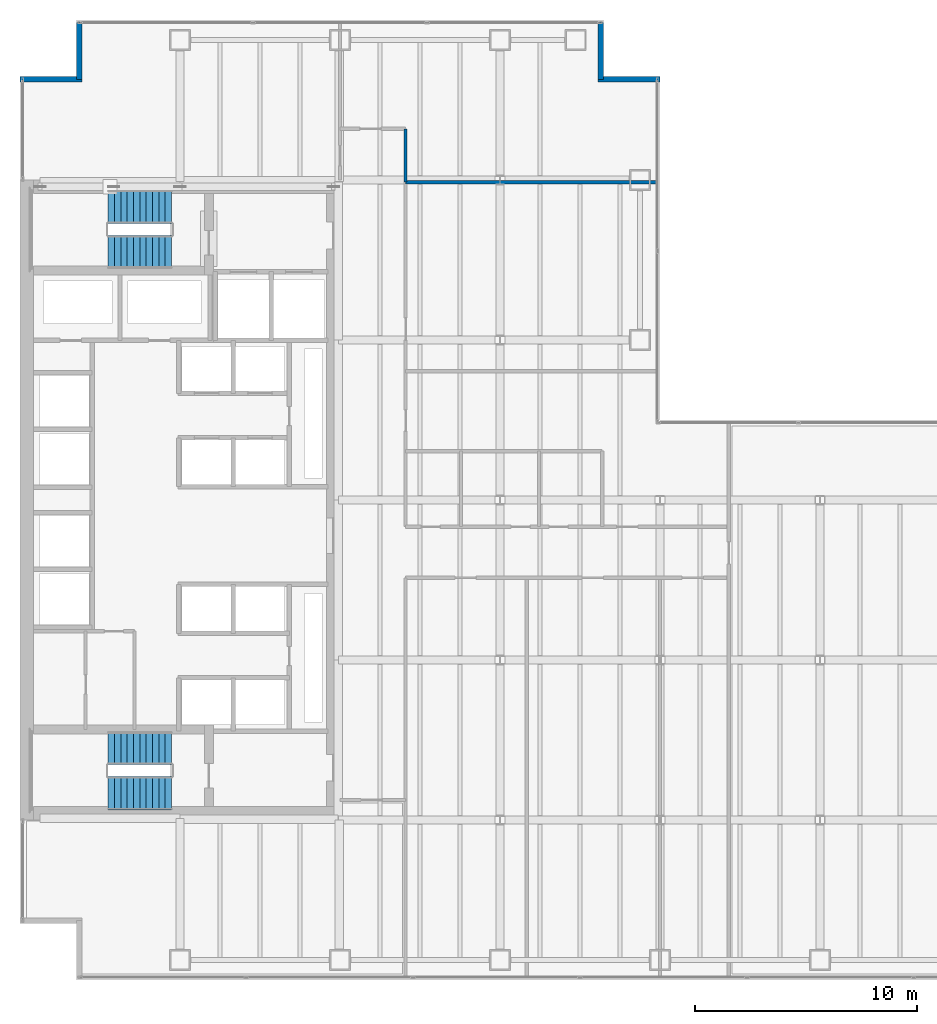
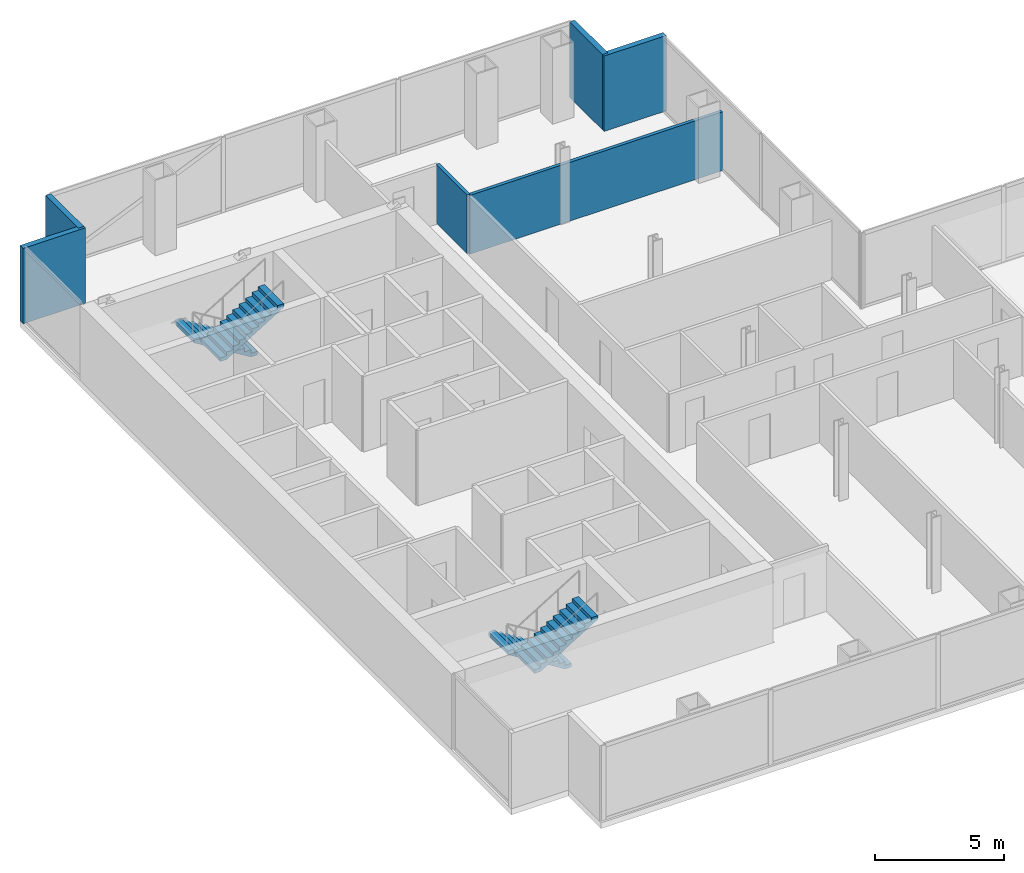
# One storey, part 22 of 24: 6 walls, 4 stair flights, 2 elements without a shape of their own.
"""IFC4 building model written with IfcOpenShell, lengths in metres."""

from ifc_helpers import new_model, si_unit, direction, frame, frame_2d, origin, place, context, subcontext, project, spatial, polyline, rectangle, outline, extrude, material, layer, layer_set, type_object, element, aggregate, save


model = new_model("IFC4")

# Units and contexts
model_context = context("Model", 3, precision=1e-05, world=origin(), true_north=direction((0.0, 1.0)))
body_context = subcontext(model_context, "Body", "Model", "MODEL_VIEW")
ifc_project = project(units=[si_unit("LENGTHUNIT", "METRE"), si_unit("AREAUNIT", "SQUARE_METRE"), si_unit("VOLUMEUNIT", "CUBIC_METRE"), si_unit("PLANEANGLEUNIT", "RADIAN"), si_unit("MASSUNIT", "GRAM", prefix="KILO")], contexts=[model_context])

# Site, building, storey
site_placement = place(None, origin())
site = spatial("IfcSite", under=ifc_project, at=site_placement, CompositionType="ELEMENT")
building_placement = place(site_placement, origin())
building = spatial("IfcBuilding", under=site, at=building_placement, Name="Cobrela Telecom Tower", CompositionType="ELEMENT")
storey_placement = place(building_placement, frame((0.0, 0.0, 77.35009765625)))
storey = spatial("IfcBuildingStorey", under=building, at=storey_placement, Name="L19", CompositionType="ELEMENT", Elevation=77.35009765625)

# Walls
ifc_material_1 = material(Name="Concrete C40/50", Category="concrete")
ifc_layer_1 = layer(ifc_material_1, 0.239990234375)
ifc_layer_set_1 = layer_set([ifc_layer_1], Name="Concrete C40/50")
wall_type_1 = type_object("IfcWallType", Name="WALL-EXT-300", PredefinedType="STANDARD", material=ifc_layer_set_1)
wall_1_placement = place(storey_placement, frame((0.0, 40.530029296875, 0.0), z_axis=(0.0, 0.0, 1.0), x_axis=(1.0, 0.0, 0.0)))
element("IfcWall", 1, at=wall_1_placement, inside=storey, type_object=wall_type_1, Name="L19 Insulated Facade Wall 05", PredefinedType="STANDARD", context=body_context, shape_type="SweptSolid", body=[
    extrude(rectangle(XDim=2.7900390625, YDim=0.239990234375, at=frame_2d((1.39501953125, 0.0))), origin(), (0.0, 0.0, 1.0), 3.56982421875),
])
for number, where, z_axis, x_axis, name in (
    (2, (2.669921875, 40.530029296875, 0.0), (0.0, 0.0, 1.0), (0.0, 1.0, 0.0), "L19 Insulated Facade Wall 06"),
    (3, (26.1298828125, 43.080078125, 0.0), (0.0, 0.0, 1.0), (0.0, -1.0, 0.0), "L19 Insulated Facade Wall 08"),
):
    element("IfcWall", number, at=place(storey_placement, frame(where, z_axis=z_axis, x_axis=x_axis)), inside=storey, type_object=wall_type_1, Name=name, PredefinedType="STANDARD", context=body_context, shape_type="SweptSolid", body=[
        extrude(rectangle(XDim=2.550048828125, YDim=0.239990234375, at=frame_2d((1.27490234375, 0.0))), origin(), (0.0, 0.0, 1.0), 3.56982421875),
    ])
wall_2_placement = place(storey_placement, frame((26.010009765625, 40.530029296875, 0.0), z_axis=(0.0, 0.0, 1.0), x_axis=(1.0, 0.0, 0.0)))
element("IfcWall", 4, at=wall_2_placement, inside=storey, type_object=wall_type_1, Name="L19 Insulated Facade Wall 09", PredefinedType="STANDARD", context=body_context, shape_type="SweptSolid", body=[
    extrude(rectangle(XDim=2.7900390625, YDim=0.239990234375, at=frame_2d((1.39501953125, 0.0))), origin(), (0.0, 0.0, 1.0), 3.56982421875),
])
ifc_material_2 = material(Name="Fire-Rated Gypsum Plasterboard")
ifc_layer_2 = layer(ifc_material_2, 0.14990234375)
ifc_layer_set_2 = layer_set([ifc_layer_2], Name="Fire-Rated Gypsum Plasterboard")
wall_type_2 = type_object("IfcWallType", Name="WALL-PART-150", PredefinedType="PARTITIONING", material=ifc_layer_set_2)
wall_3_placement = place(storey_placement, frame((17.35009765625, 35.89990234375, 0.0), z_axis=(0.0, 0.0, 1.0), x_axis=(0.0, 1.0, 0.0)))
element("IfcWall", 5, at=wall_3_placement, inside=storey, type_object=wall_type_2, Name="L19 Interior Partition W-CN-E", PredefinedType="PARTITIONING", context=body_context, shape_type="SweptSolid", body=[
    extrude(rectangle(XDim=2.400146484375, YDim=0.14990234375, at=frame_2d((1.2001953125, 0.0))), origin(), (0.0, 0.0, 1.0), 2.782958984375),
])
wall_4_placement = place(storey_placement, frame((17.35009765625, 35.89990234375, 0.0), z_axis=(0.0, 0.0, 1.0), x_axis=(1.0, 0.0, 0.0)))
element("IfcWall", 6, at=wall_4_placement, inside=storey, type_object=wall_type_2, Name="L19 Interior Partition W-NW2-S", PredefinedType="PARTITIONING", context=body_context, shape_type="SweptSolid", body=[
    extrude(rectangle(XDim=11.329833984375, YDim=0.14990234375, at=frame_2d((5.6650390625, 0.0))), origin(), (0.0, 0.0, 1.0), 2.782958984375),
])

# Stair, stair flights
stair_type = type_object("IfcStairType", Name="STAIR-CORE", PredefinedType="HALF_TURN_STAIR", material=ifc_material_1)
stair_1_placement = place(storey_placement, origin())
stair_1 = element("IfcStair", 7, at=stair_1_placement, inside=storey, type_object=stair_type, Name="L19 Smokeproof Exit Stair ST1", PredefinedType="HALF_TURN_STAIR")
stair_flight_type = type_object("IfcStairFlightType", Name="FLIGHT-CORE", PredefinedType="STRAIGHT", material=ifc_material_1)
stair_flight_1_placement = place(storey_placement, frame((6.820068359375, 34.800048828125, 0.0), z_axis=(0.0, 0.0, 1.0), x_axis=(-1.0, 0.0, 0.0)))
stair_flight_1 = element("IfcStairFlight", 8, at=stair_flight_1_placement, type_object=stair_flight_type, Name="ST1 flight 1", NumberOfRisers=11, NumberOfTreads=10, PredefinedType="STRAIGHT", RiserHeight=0.175, TreadLength=0.285, context=body_context, shape_type="SweptSolid", body=[
    extrude(outline(polyline([(0.0, 0.0), (0.0, 0.175048828125), (0.284912109375, 0.175048828125), (0.284912109375, 0.35009765625), (0.570068359375, 0.35009765625), (0.570068359375, 0.52490234375), (0.85498046875, 0.52490234375), (0.85498046875, 0.699951171875), (1.139892578125, 0.699951171875), (1.139892578125, 0.875), (1.425048828125, 0.875), (1.425048828125, 1.050048828125), (1.7099609375, 1.050048828125), (1.7099609375, 1.22509765625), (1.9951171875, 1.22509765625), (1.9951171875, 1.39990234375), (2.280029296875, 1.39990234375), (2.280029296875, 1.574951171875), (2.56494140625, 1.574951171875), (2.56494140625, 1.75), (2.85009765625, 1.75), (2.85009765625, 1.925048828125), (2.85009765625, 1.573974609375), (0.286376953125, 0.0), (0.0, 0.0)])), frame((0.0, 0.75, 0.0), z_axis=(0.0, -1.0, 0.0), x_axis=(1.0, 0.0, 0.0)), (0.0, 0.0, 1.0), 1.5),
])
stair_flight_2_placement = place(storey_placement, frame((3.969970703125, 32.75, 1.9248046875), z_axis=(0.0, 0.0, 1.0), x_axis=(1.0, 0.0, 0.0)))
stair_flight_2 = element("IfcStairFlight", 9, at=stair_flight_2_placement, type_object=stair_flight_type, Name="ST1 flight 2", NumberOfRisers=11, NumberOfTreads=10, PredefinedType="STRAIGHT", RiserHeight=0.175, TreadLength=0.285, context=body_context, shape_type="SweptSolid", body=[
    extrude(outline(polyline([(0.0, 0.0), (0.0, 0.175048828125), (0.284912109375, 0.175048828125), (0.284912109375, 0.35009765625), (0.570068359375, 0.35009765625), (0.570068359375, 0.52490234375), (0.85498046875, 0.52490234375), (0.85498046875, 0.699951171875), (1.139892578125, 0.699951171875), (1.139892578125, 0.875), (1.425048828125, 0.875), (1.425048828125, 1.050048828125), (1.7099609375, 1.050048828125), (1.7099609375, 1.22509765625), (1.9951171875, 1.22509765625), (1.9951171875, 1.39990234375), (2.280029296875, 1.39990234375), (2.280029296875, 1.574951171875), (2.56494140625, 1.574951171875), (2.56494140625, 1.75), (2.85009765625, 1.75), (2.85009765625, 1.925048828125), (2.85009765625, 1.573974609375), (0.286376953125, 0.0), (0.0, 0.0)])), frame((0.0, 0.75, 0.0), z_axis=(0.0, -1.0, 0.0), x_axis=(1.0, 0.0, 0.0)), (0.0, 0.0, 1.0), 1.5),
])
aggregate(stair_1, [stair_flight_1, stair_flight_2])

stair_2_placement = place(storey_placement, origin())
stair_2 = element("IfcStair", 10, at=stair_2_placement, inside=storey, type_object=stair_type, Name="L19 Smokeproof Exit Stair ST2", PredefinedType="HALF_TURN_STAIR")
stair_flight_3_placement = place(storey_placement, frame((6.820068359375, 10.449951171875, 0.0), z_axis=(0.0, 0.0, 1.0), x_axis=(-1.0, 0.0, 0.0)))
stair_flight_3 = element("IfcStairFlight", 11, at=stair_flight_3_placement, type_object=stair_flight_type, Name="ST2 flight 1", NumberOfRisers=11, NumberOfTreads=10, PredefinedType="STRAIGHT", RiserHeight=0.175, TreadLength=0.285, context=body_context, shape_type="SweptSolid", body=[
    extrude(outline(polyline([(0.0, 0.0), (0.0, 0.175048828125), (0.284912109375, 0.175048828125), (0.284912109375, 0.35009765625), (0.570068359375, 0.35009765625), (0.570068359375, 0.52490234375), (0.85498046875, 0.52490234375), (0.85498046875, 0.699951171875), (1.139892578125, 0.699951171875), (1.139892578125, 0.875), (1.425048828125, 0.875), (1.425048828125, 1.050048828125), (1.7099609375, 1.050048828125), (1.7099609375, 1.22509765625), (1.9951171875, 1.22509765625), (1.9951171875, 1.39990234375), (2.280029296875, 1.39990234375), (2.280029296875, 1.574951171875), (2.56494140625, 1.574951171875), (2.56494140625, 1.75), (2.85009765625, 1.75), (2.85009765625, 1.925048828125), (2.85009765625, 1.573974609375), (0.286376953125, 0.0), (0.0, 0.0)])), frame((0.0, 0.75, 0.0), z_axis=(0.0, -1.0, 0.0), x_axis=(1.0, 0.0, 0.0)), (0.0, 0.0, 1.0), 1.5),
])
stair_flight_4_placement = place(storey_placement, frame((3.969970703125, 8.39990234375, 1.9248046875), z_axis=(0.0, 0.0, 1.0), x_axis=(1.0, 0.0, 0.0)))
stair_flight_4 = element("IfcStairFlight", 12, at=stair_flight_4_placement, type_object=stair_flight_type, Name="ST2 flight 2", NumberOfRisers=11, NumberOfTreads=10, PredefinedType="STRAIGHT", RiserHeight=0.175, TreadLength=0.285, context=body_context, shape_type="SweptSolid", body=[
    extrude(outline(polyline([(0.0, 0.0), (0.0, 0.175048828125), (0.284912109375, 0.175048828125), (0.284912109375, 0.35009765625), (0.570068359375, 0.35009765625), (0.570068359375, 0.52490234375), (0.85498046875, 0.52490234375), (0.85498046875, 0.699951171875), (1.139892578125, 0.699951171875), (1.139892578125, 0.875), (1.425048828125, 0.875), (1.425048828125, 1.050048828125), (1.7099609375, 1.050048828125), (1.7099609375, 1.22509765625), (1.9951171875, 1.22509765625), (1.9951171875, 1.39990234375), (2.280029296875, 1.39990234375), (2.280029296875, 1.574951171875), (2.56494140625, 1.574951171875), (2.56494140625, 1.75), (2.85009765625, 1.75), (2.85009765625, 1.925048828125), (2.85009765625, 1.573974609375), (0.286376953125, 0.0), (0.0, 0.0)])), frame((0.0, 0.75, 0.0), z_axis=(0.0, -1.0, 0.0), x_axis=(1.0, 0.0, 0.0)), (0.0, 0.0, 1.0), 1.5),
])
aggregate(stair_2, [stair_flight_3, stair_flight_4])

save(model, "model.ifc")
